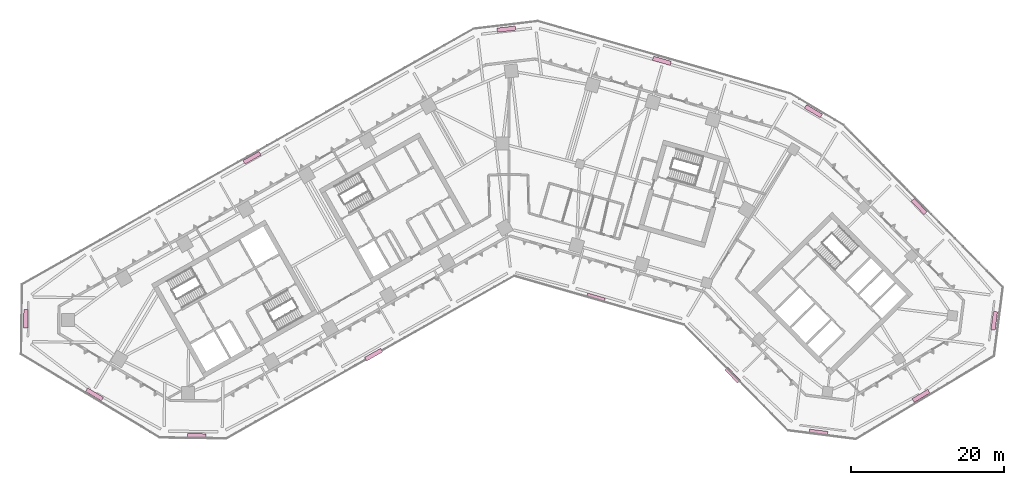
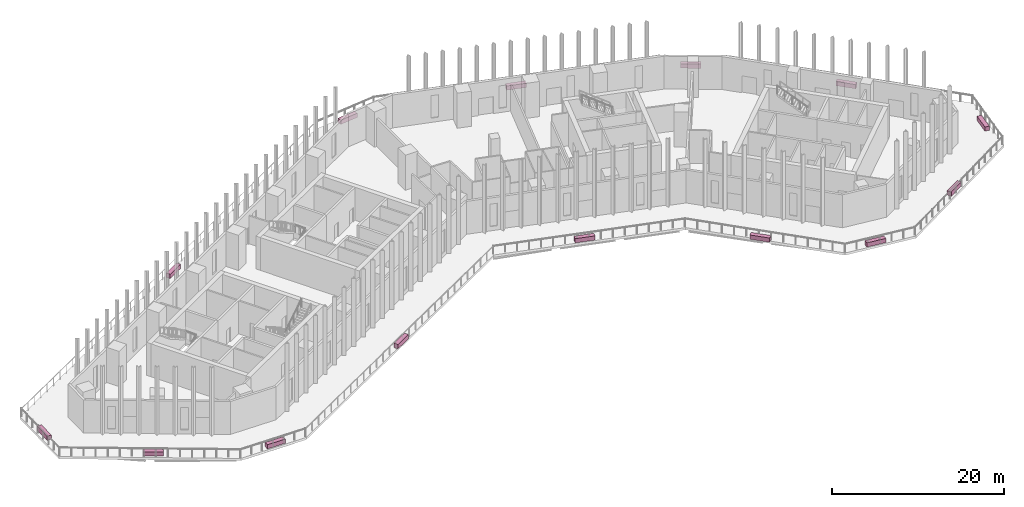
# One storey, part 17 of 17: 14 furnishings.
"""IFC4 building model written with IfcOpenShell, lengths in metres."""

from ifc_helpers import new_model, si_unit, direction, frame, origin, origin_2d, place, context, subcontext, project, spatial, rectangle, extrude, material, type_object, element, save


model = new_model("IFC4")

# Units and contexts
model_context = context("Model", 3, precision=1e-05, world=origin(), true_north=direction((0.0, 1.0)))
body_context = subcontext(model_context, "Body", "Model", "MODEL_VIEW")
ifc_project = project(units=[si_unit("LENGTHUNIT", "METRE"), si_unit("AREAUNIT", "SQUARE_METRE"), si_unit("VOLUMEUNIT", "CUBIC_METRE"), si_unit("PLANEANGLEUNIT", "RADIAN"), si_unit("MASSUNIT", "GRAM", prefix="KILO")], contexts=[model_context])

# Site, building, storey
site_placement = place(None, origin())
site = spatial("IfcSite", under=ifc_project, at=site_placement, CompositionType="ELEMENT")
building_placement = place(site_placement, origin())
building = spatial("IfcBuilding", under=site, at=building_placement, Name="Binnacle Exchange Tower", CompositionType="ELEMENT")
storey_placement = place(building_placement, frame((0.0, 0.0, 26.5)))
storey = spatial("IfcBuildingStorey", under=building, at=storey_placement, Name="L05", CompositionType="ELEMENT", Elevation=26.5)

# Furnishings
ifc_material = material(Name="Concrete C35/45", Category="concrete")
furnishing_element_type = type_object("IfcFurnishingElementType", Name="PLANTER 2400x550x600", material=ifc_material)
for number, where, z_axis, x_axis, name in (
    (1, (39.677978515625, 64.2333984375, 0.0), (0.0, 0.0, 1.0), (-0.859403734365, 0.511297585911, 0.0), "Planter 1 Terrace P"),
    (2, (19.917724609375, 70.799072265625, 0.0), (0.0, 0.0, 1.0), (-0.961261695938, 0.275637355817, 0.0), "Planter 2 Terrace P"),
    (3, (-0.35888671875, 74.9248046875, 0.0), (0.0, 0.0, 1.0), (-0.993068867232, -0.117533930994, 0.0), "Planter 3 Terrace P"),
    (4, (-33.50830078125, 58.155517578125, 0.0), (0.0, 0.0, 1.0), (-0.87035655538, -0.492422041045, 0.0), "Planter 4 Terrace P"),
    (5, (-62.998779296875, 37.189697265625, 0.0), (0.0, 0.0, 1.0), (-0.013084360032, -0.999914396097, 0.0), "Planter 5 Terrace P"),
    (6, (-54.04150390625, 27.307861328125, 0.0), (0.0, 0.0, 1.0), (0.85716640179, -0.515039570948, 0.0), "Planter 6 Terrace P"),
    (7, (-40.710205078125, 21.913818359375, 0.0), (0.0, 0.0, 1.0), (0.999914213308, -0.013098321469, 0.0), "Planter 7 Terrace P"),
    (8, (-17.64306640625, 32.495361328125, 0.0), (0.0, 0.0, 1.0), (0.870867451945, 0.491517935729, 0.0), "Planter 8 Terrace P"),
    (9, (11.326904296875, 39.92724609375, 0.0), (0.0, 0.0, 1.0), (0.961260733777, -0.275640711252, 0.0), "Planter 9 Terrace P"),
    (10, (29.16015625, 29.8115234375, 0.0), (0.0, 0.0, 1.0), (0.701629678421, -0.712541784289, 0.0), "Planter 10 Terrace P"),
    (11, (40.3447265625, 22.3603515625, 0.0), (0.0, 0.0, 1.0), (0.99200428889, -0.12620416326, 0.0), "Planter 11 Terrace P"),
    (12, (53.702880859375, 27.117431640625, 0.0), (0.0, 0.0, 1.0), (0.857167300702, 0.51503807491, 0.0), "Planter 12 Terrace P"),
    (13, (63.25830078125, 36.90869140625, 0.0), (0.0, 0.0, 1.0), (0.12619723776, 0.992005169937, 0.0), "Planter 13 Terrace P"),
    (14, (53.450927734375, 51.805908203125, 0.0), (0.0, 0.0, 1.0), (-0.7009092643, 0.713250449154, 0.0), "Planter 14 Terrace P"),
):
    element("IfcFurnishingElement", number, at=place(storey_placement, frame(where, z_axis=z_axis, x_axis=x_axis)), inside=storey, type_object=furnishing_element_type, Name=name, ObjectType="PLANTER", context=body_context, shape_type="SweptSolid", body=[
        extrude(rectangle(XDim=2.39990234375, YDim=0.550048828125, at=origin_2d()), origin(), (0.0, 0.0, 1.0), 0.60009765625),
    ])

save(model, "model.ifc")
